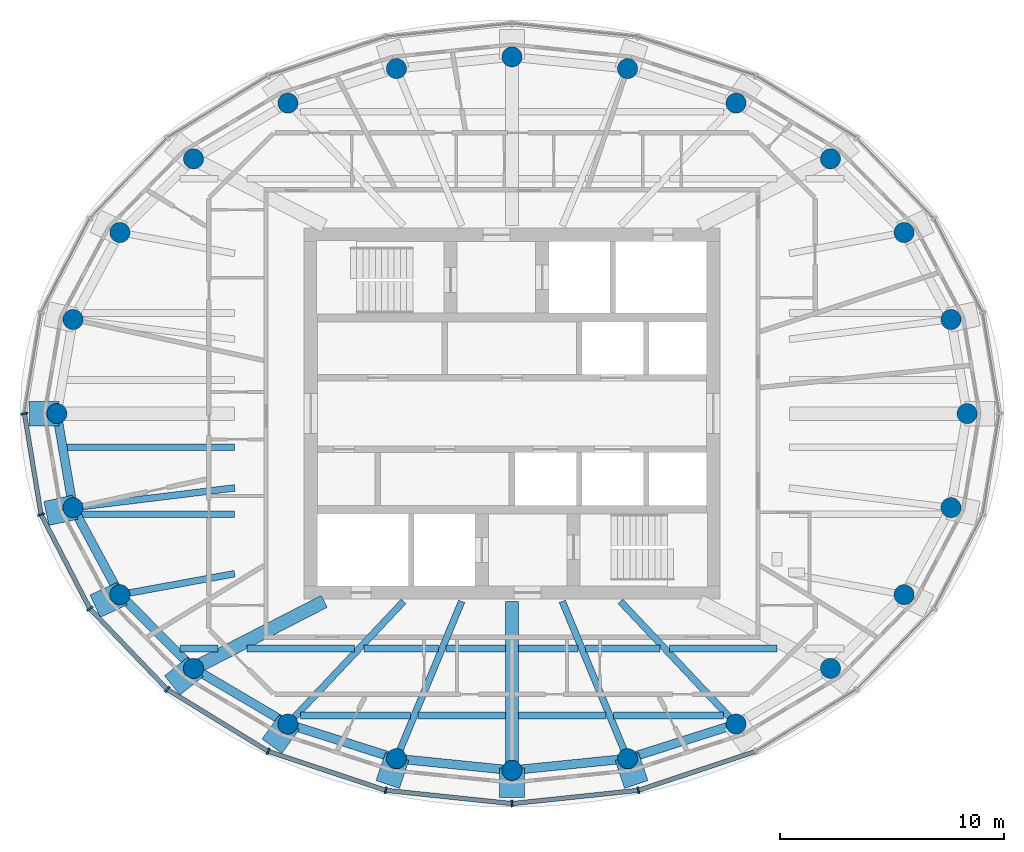
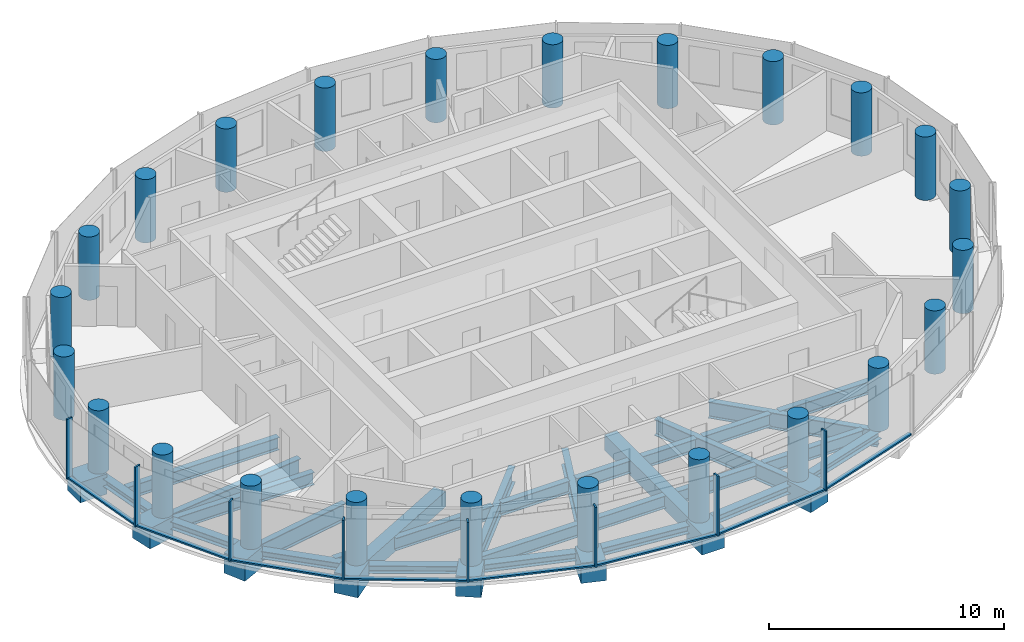
# One storey, part 1 of 11: 37 beams, 24 columns, 16 members, 2 elements without a shape of their own.
"""IFC4 building model written with IfcOpenShell, lengths in metres."""

from ifc_helpers import new_model, si_unit, direction, frame, origin, origin_2d, place, context, subcontext, project, spatial, rectangle, hollow_rectangle, circle, i_section, extrude, material, material_profile, profile_set, type_object, element, aggregate, save


model = new_model("IFC4")

# Units and contexts
model_context = context("Model", 3, precision=1e-05, world=origin(), true_north=direction((0.0, 1.0)))
body_context = subcontext(model_context, "Body", "Model", "MODEL_VIEW")
ifc_project = project(units=[si_unit("LENGTHUNIT", "METRE"), si_unit("AREAUNIT", "SQUARE_METRE"), si_unit("VOLUMEUNIT", "CUBIC_METRE"), si_unit("PLANEANGLEUNIT", "RADIAN"), si_unit("MASSUNIT", "GRAM", prefix="KILO")], contexts=[model_context])

# Site, building, storey
site_placement = place(None, origin())
site = spatial("IfcSite", under=ifc_project, at=site_placement, CompositionType="ELEMENT")
building_placement = place(site_placement, origin())
building = spatial("IfcBuilding", under=site, at=building_placement, Name="Hankou Lantern Tower", CompositionType="ELEMENT")
storey_placement = place(building_placement, frame((0.0, 0.0, 192.89990234375)))
storey = spatial("IfcBuildingStorey", under=building, at=storey_placement, Name="L51", CompositionType="ELEMENT", Elevation=192.89990234375)

# Columns
ifc_material_1 = material(Name="Concrete C50", Category="concrete")
ifc_material_profile_1 = material_profile(ifc_material_1, circle(Radius=0.449951171875, at=origin_2d()), Name="RC D900")
ifc_profile_set_1 = profile_set([ifc_material_profile_1], Name="Concrete C50")
column_type = type_object("IfcColumnType", Name="TC5 PERIMETER COLUMN RC D900", PredefinedType="COLUMN", material=ifc_profile_set_1)
for number, where, z_axis, x_axis, name in (
    (1, (20.35009765625, 0.0, 0.0), (0.0, 0.0, 1.0), (1.0, 0.0, 0.0), "Column R01 L51"),
    (2, (19.629150390625, 4.207763671875, 0.0), (0.0, 0.0, 1.0), (1.0, 0.0, 0.0), "Column R02 L51"),
    (3, (17.5322265625, 8.097900390625, 0.0), (0.0, 0.0, 1.0), (1.0, 0.0, 0.0), "Column R03 L51"),
    (4, (14.241455078125, 11.393310546875, 0.0), (0.0, 0.0, 1.0), (1.0, 0.0, 0.0), "Column R04 L51"),
    (5, (10.01904296875, 13.8828125, 0.0), (0.0, 0.0, 1.0), (1.0, 0.0, 0.0), "Column R05 L51"),
    (6, (5.167236328125, 15.42724609375, 0.0), (0.0, 0.0, 1.0), (1.0, 0.0, 0.0), "Column R06 L51"),
    (7, (0.0, 15.949951171875, 0.0), (0.0, 0.0, 1.0), (1.0, 0.0, 0.0), "Column R07 L51"),
    (8, (-5.167236328125, 15.42724609375, 0.0), (0.0, 0.0, 1.0), (1.0, 0.0, 0.0), "Column R08 L51"),
    (9, (-10.01904296875, 13.8828125, 0.0), (0.0, 0.0, 1.0), (1.0, 0.0, 0.0), "Column R09 L51"),
    (10, (-14.241455078125, 11.393310546875, 0.0), (0.0, 0.0, 1.0), (1.0, 0.0, 0.0), "Column R10 L51"),
    (11, (-17.5322265625, 8.097900390625, 0.0), (0.0, 0.0, 1.0), (1.0, 0.0, 0.0), "Column R11 L51"),
    (12, (-19.629150390625, 4.207763671875, 0.0), (0.0, 0.0, 1.0), (1.0, 0.0, 0.0), "Column R12 L51"),
    (13, (-20.35009765625, 0.0, 0.0), (0.0, 0.0, 1.0), (1.0, 0.0, 0.0), "Column R13 L51"),
    (14, (-19.629150390625, -4.207763671875, 0.0), (0.0, 0.0, 1.0), (1.0, 0.0, 0.0), "Column R14 L51"),
    (15, (-17.5322265625, -8.097900390625, 0.0), (0.0, 0.0, 1.0), (1.0, 0.0, 0.0), "Column R15 L51"),
    (16, (-14.241455078125, -11.393310546875, 0.0), (0.0, 0.0, 1.0), (1.0, 0.0, 0.0), "Column R16 L51"),
    (17, (-10.01904296875, -13.8828125, 0.0), (0.0, 0.0, 1.0), (1.0, 0.0, 0.0), "Column R17 L51"),
    (18, (-5.167236328125, -15.42724609375, 0.0), (0.0, 0.0, 1.0), (1.0, 0.0, 0.0), "Column R18 L51"),
    (19, (0.0, -15.949951171875, 0.0), (0.0, 0.0, 1.0), (1.0, 0.0, 0.0), "Column R19 L51"),
    (20, (5.167236328125, -15.42724609375, 0.0), (0.0, 0.0, 1.0), (1.0, 0.0, 0.0), "Column R20 L51"),
    (21, (10.01904296875, -13.8828125, 0.0), (0.0, 0.0, 1.0), (1.0, 0.0, 0.0), "Column R21 L51"),
    (22, (14.241455078125, -11.393310546875, 0.0), (0.0, 0.0, 1.0), (1.0, 0.0, 0.0), "Column R22 L51"),
    (23, (17.5322265625, -8.097900390625, 0.0), (0.0, 0.0, 1.0), (1.0, 0.0, 0.0), "Column R23 L51"),
    (24, (19.629150390625, -4.207763671875, 0.0), (0.0, 0.0, 1.0), (1.0, 0.0, 0.0), "Column R24 L51"),
):
    element("IfcColumn", number, at=place(storey_placement, frame(where, z_axis=z_axis, x_axis=x_axis)), inside=storey, type_object=column_type, Name=name, PredefinedType="COLUMN", context=body_context, shape_type="SweptSolid", body=[
        extrude(circle(Radius=0.449951171875, at=origin_2d()), origin(), (0.0, 0.0, 1.0), 3.300048828125),
    ])

# Beams
ifc_material_2 = material(Name="Steel Q355B", Category="steel")
ifc_material_profile_2 = material_profile(ifc_material_2, i_section(OverallWidth=0.39990234375, OverallDepth=0.39990234375, WebThickness=0.012939453125, FlangeThickness=0.02099609375, FilletRadius=0.02197265625, at=origin_2d()), Name="HW400x400x13x21")
ifc_profile_set_2 = profile_set([ifc_material_profile_2], Name="Steel Q355B")
beam_type_1 = type_object("IfcBeamType", Name="EB19 RING BEAM HW400x400x13x21", PredefinedType="SPANDREL", material=ifc_profile_set_2)
beam_1_placement = place(storey_placement, frame((-20.35009765625, 0.0, -0.3798828125), z_axis=(0.168876512999, -0.98563721691, 0.0), x_axis=(0.98563721691, 0.168876512999, 0.0)))
element("IfcBeam", 25, at=beam_1_placement, inside=storey, type_object=beam_type_1, Name="Ring beam R13-R14 L51", PredefinedType="SPANDREL", context=body_context, shape_type="SweptSolid", body=[
    extrude(i_section(OverallWidth=0.39990234375, OverallDepth=0.39990234375, WebThickness=0.012939453125, FlangeThickness=0.02099609375, FilletRadius=0.02197265625, at=origin_2d()), origin(), (0.0, 0.0, 1.0), 4.26904296875),
])
beam_2_placement = place(storey_placement, frame((-19.629150390625, -4.207763671875, -0.3798828125), z_axis=(0.474491806611, -0.880259919262, 0.0), x_axis=(0.880259919262, 0.474491806611, 0.0)))
element("IfcBeam", 26, at=beam_2_placement, inside=storey, type_object=beam_type_1, Name="Ring beam R14-R15 L51", PredefinedType="SPANDREL", context=body_context, shape_type="SweptSolid", body=[
    extrude(i_section(OverallWidth=0.39990234375, OverallDepth=0.39990234375, WebThickness=0.012939453125, FlangeThickness=0.02099609375, FilletRadius=0.02197265625, at=origin_2d()), origin(), (0.0, 0.0, 1.0), 4.419189453125),
])
beam_3_placement = place(storey_placement, frame((-17.5322265625, -8.097900390625, -0.3798828125), z_axis=(0.706608588034, -0.707604623583, 0.0), x_axis=(0.707604623583, 0.706608588034, 0.0)))
element("IfcBeam", 27, at=beam_3_placement, inside=storey, type_object=beam_type_1, Name="Ring beam R15-R16 L51", PredefinedType="SPANDREL", context=body_context, shape_type="SweptSolid", body=[
    extrude(i_section(OverallWidth=0.39990234375, OverallDepth=0.39990234375, WebThickness=0.012939453125, FlangeThickness=0.02099609375, FilletRadius=0.02197265625, at=origin_2d()), origin(), (0.0, 0.0, 1.0), 4.6572265625),
])
beam_4_placement = place(storey_placement, frame((-14.241455078125, -11.393310546875, -0.3798828125), z_axis=(0.861422897323, -0.507888365655, 0.0), x_axis=(0.507888365655, 0.861422897323, 0.0)))
element("IfcBeam", 28, at=beam_4_placement, inside=storey, type_object=beam_type_1, Name="Ring beam R16-R17 L51", PredefinedType="SPANDREL", context=body_context, shape_type="SweptSolid", body=[
    extrude(i_section(OverallWidth=0.39990234375, OverallDepth=0.39990234375, WebThickness=0.012939453125, FlangeThickness=0.02099609375, FilletRadius=0.02197265625, at=origin_2d()), origin(), (0.0, 0.0, 1.0), 4.901611328125),
])
beam_5_placement = place(storey_placement, frame((-10.01904296875, -13.8828125, -0.3798828125), z_axis=(0.952887359315, -0.303324381574, 0.0), x_axis=(0.303324381574, 0.952887359315, 0.0)))
element("IfcBeam", 29, at=beam_5_placement, inside=storey, type_object=beam_type_1, Name="Ring beam R17-R18 L51", PredefinedType="SPANDREL", context=body_context, shape_type="SweptSolid", body=[
    extrude(i_section(OverallWidth=0.39990234375, OverallDepth=0.39990234375, WebThickness=0.012939453125, FlangeThickness=0.02099609375, FilletRadius=0.02197265625, at=origin_2d()), origin(), (0.0, 0.0, 1.0), 5.091796875),
])
for number, where, z_axis, x_axis, name in (
    (30, (-5.167236328125, -15.42724609375, -0.3798828125), (0.994922507736, -0.100643944676, 0.0), (0.100643944676, 0.994922507736, 0.0), "Ring beam R18-R19 L51"),
    (31, (0.0, -15.949951171875, -0.3798828125), (0.994922507736, 0.100643944676, 0.0), (-0.100643944676, 0.994922507736, 0.0), "Ring beam R19-R20 L51"),
):
    element("IfcBeam", number, at=place(storey_placement, frame(where, z_axis=z_axis, x_axis=x_axis)), inside=storey, type_object=beam_type_1, Name=name, PredefinedType="SPANDREL", context=body_context, shape_type="SweptSolid", body=[
        extrude(i_section(OverallWidth=0.39990234375, OverallDepth=0.39990234375, WebThickness=0.012939453125, FlangeThickness=0.02099609375, FilletRadius=0.02197265625, at=origin_2d()), origin(), (0.0, 0.0, 1.0), 5.193603515625),
    ])
beam_6_placement = place(storey_placement, frame((5.167236328125, -15.42724609375, -0.3798828125), z_axis=(0.952887359315, 0.303324381574, 0.0), x_axis=(-0.303324381574, 0.952887359315, 0.0)))
element("IfcBeam", 32, at=beam_6_placement, inside=storey, type_object=beam_type_1, Name="Ring beam R20-R21 L51", PredefinedType="SPANDREL", context=body_context, shape_type="SweptSolid", body=[
    extrude(i_section(OverallWidth=0.39990234375, OverallDepth=0.39990234375, WebThickness=0.012939453125, FlangeThickness=0.02099609375, FilletRadius=0.02197265625, at=origin_2d()), origin(), (0.0, 0.0, 1.0), 5.091796875),
])

# Curtain wall, members
ifc_material_3 = material(Name="Glass, dark grey tinted laminated", Category="glass")
curtain_wall_type = type_object("IfcCurtainWallType", Name="CWD OUTER SKIN SUITE", PredefinedType="USERDEFINED", material=ifc_material_3)
curtain_wall_1_placement = place(storey_placement, origin())
curtain_wall_1 = element("IfcCurtainWall", 33, at=curtain_wall_1_placement, inside=storey, type_object=curtain_wall_type, Name="CWD L51 OS3", ObjectType="OUTER SKIN SUITE", PredefinedType="USERDEFINED")
ifc_material_4 = material(Name="Aluminium, black anodised", Category="aluminium")
ifc_material_profile_3 = material_profile(ifc_material_4, rectangle(XDim=0.080078125, YDim=0.300048828125, at=origin_2d()), Name="MU1 80X300")
ifc_profile_set_3 = profile_set([ifc_material_profile_3], Name="Aluminium, black anodised")
member_type_1 = type_object("IfcMemberType", Name="MU1 OUTER SKIN MULLION 80X300", PredefinedType="MULLION", material=ifc_profile_set_3)
member_1_placement = place(storey_placement, frame((-21.800048828125, 0.0, 0.0), z_axis=(0.0, 0.0, 1.0), x_axis=(0.162381515188, -0.986728049427, 0.0)))
member_1 = element("IfcMember", 34, at=member_1_placement, type_object=member_type_1, Name="CWD mullion 1", PredefinedType="MULLION", context=body_context, shape_type="SweptSolid", body=[
    extrude(rectangle(XDim=0.080078125, YDim=0.300048828125, at=origin_2d()), origin(), (0.0, 0.0, 1.0), 3.1201171875),
])
member_2_placement = place(storey_placement, frame((-21.05712890625, -4.513916015625, 0.0), z_axis=(0.0, 0.0, 1.0), x_axis=(0.317595577365, -0.94822626479, 0.0)))
member_2 = element("IfcMember", 35, at=member_2_placement, type_object=member_type_1, Name="CWD mullion 2", PredefinedType="MULLION", context=body_context, shape_type="SweptSolid", body=[
    extrude(rectangle(XDim=0.080078125, YDim=0.300048828125, at=origin_2d()), origin(), (0.0, 0.0, 1.0), 3.1201171875),
])
member_3_placement = place(storey_placement, frame((-18.87939453125, -8.719970703125, 0.0), z_axis=(0.0, 0.0, 1.0), x_axis=(0.585205735974, -0.810884854084, 0.0)))
member_3 = element("IfcMember", 36, at=member_3_placement, type_object=member_type_1, Name="CWD mullion 3", PredefinedType="MULLION", context=body_context, shape_type="SweptSolid", body=[
    extrude(rectangle(XDim=0.080078125, YDim=0.300048828125, at=origin_2d()), origin(), (0.0, 0.0, 1.0), 3.1201171875),
])
member_4_placement = place(storey_placement, frame((-15.4150390625, -12.33203125, 0.0), z_axis=(0.0, 0.0, 1.0), x_axis=(0.780868809444, -0.624695047553, 0.0)))
member_4 = element("IfcMember", 37, at=member_4_placement, type_object=member_type_1, Name="CWD mullion 4", PredefinedType="MULLION", context=body_context, shape_type="SweptSolid", body=[
    extrude(rectangle(XDim=0.080078125, YDim=0.300048828125, at=origin_2d()), origin(), (0.0, 0.0, 1.0), 3.1201171875),
])
member_5_placement = place(storey_placement, frame((-10.89990234375, -15.103515625, 0.0), z_axis=(0.0, 0.0, 1.0), x_axis=(0.907841299004, -0.419313934686, 0.0)))
member_5 = element("IfcMember", 38, at=member_5_placement, type_object=member_type_1, Name="CWD mullion 5", PredefinedType="MULLION", context=body_context, shape_type="SweptSolid", body=[
    extrude(rectangle(XDim=0.080078125, YDim=0.300048828125, at=origin_2d()), origin(), (0.0, 0.0, 1.0), 3.1201171875),
])
member_6_placement = place(storey_placement, frame((-5.642333984375, -16.845703125, 0.0), z_axis=(0.0, 0.0, 1.0), x_axis=(0.977787659625, -0.209597931016, 0.0)))
member_6 = element("IfcMember", 39, at=member_6_placement, type_object=member_type_1, Name="CWD mullion 6", PredefinedType="MULLION", context=body_context, shape_type="SweptSolid", body=[
    extrude(rectangle(XDim=0.080078125, YDim=0.300048828125, at=origin_2d()), origin(), (0.0, 0.0, 1.0), 3.1201171875),
])

curtain_wall_2_placement = place(storey_placement, origin())
curtain_wall_2 = element("IfcCurtainWall", 40, at=curtain_wall_2_placement, inside=storey, type_object=curtain_wall_type, Name="CWD L51 OS4", ObjectType="OUTER SKIN SUITE", PredefinedType="USERDEFINED")
member_7_placement = place(storey_placement, frame((0.0, -17.43994140625, 0.0), z_axis=(0.0, 0.0, 1.0), x_axis=(0.994499359107, 0.104742659579, 0.0)))
member_7 = element("IfcMember", 41, at=member_7_placement, type_object=member_type_1, Name="CWD mullion 1", PredefinedType="MULLION", context=body_context, shape_type="SweptSolid", body=[
    extrude(rectangle(XDim=0.080078125, YDim=0.300048828125, at=origin_2d()), origin(), (0.0, 0.0, 1.0), 3.1201171875),
])
member_8_placement = place(storey_placement, frame((5.642333984375, -16.845703125, 0.0), z_axis=(0.0, 0.0, 1.0), x_axis=(0.977787659625, 0.209597931016, 0.0)))
member_8 = element("IfcMember", 42, at=member_8_placement, type_object=member_type_1, Name="CWD mullion 2", PredefinedType="MULLION", context=body_context, shape_type="SweptSolid", body=[
    extrude(rectangle(XDim=0.080078125, YDim=0.300048828125, at=origin_2d()), origin(), (0.0, 0.0, 1.0), 3.1201171875),
])

# Beams
ifc_material_5 = material(Name="Steel Q390GJ", Category="steel")
ifc_material_profile_4 = material_profile(ifc_material_5, hollow_rectangle(XDim=0.60009765625, YDim=0.800048828125, WallThickness=0.050048828125, at=origin_2d()), Name="BOX800x600x50")
ifc_profile_set_4 = profile_set([ifc_material_profile_4], Name="Steel Q390GJ")
beam_type_2 = type_object("IfcBeamType", Name="OT2 OUTRIGGER CHORD BOX800x600x50", PredefinedType="BEAM", material=ifc_profile_set_4)
beam_7_placement = place(storey_placement, frame((-8.39990234375, -8.39990234375, -0.579833984375), z_axis=(-0.889957215758, -0.456044026515, 0.0), x_axis=(0.456044026515, -0.889957215758, 0.0)))
element("IfcBeam", 43, at=beam_7_placement, inside=storey, type_object=beam_type_2, Name="Radial beam R16 L51", PredefinedType="BEAM", context=body_context, shape_type="SweptSolid", body=[
    extrude(hollow_rectangle(XDim=0.60009765625, YDim=0.800048828125, WallThickness=0.050048828125, at=origin_2d()), origin(), (0.0, 0.0, 1.0), 6.56396484375),
])
beam_8_placement = place(storey_placement, frame((0.0, -8.39990234375, -0.579833984375), z_axis=(0.0, -1.0, 0.0), x_axis=(1.0, 0.0, 0.0)))
element("IfcBeam", 44, at=beam_8_placement, inside=storey, type_object=beam_type_2, Name="Radial beam R19 L51", PredefinedType="BEAM", context=body_context, shape_type="SweptSolid", body=[
    extrude(hollow_rectangle(XDim=0.60009765625, YDim=0.800048828125, WallThickness=0.050048828125, at=origin_2d()), origin(), (0.0, 0.0, 1.0), 7.550048828125),
])
ifc_material_6 = material(Name="Steel Q355B", Category="steel")
ifc_material_profile_5 = material_profile(ifc_material_6, i_section(OverallWidth=0.300048828125, OverallDepth=0.85009765625, WebThickness=0.01611328125, FlangeThickness=0.027099609375, FilletRadius=0.01806640625, at=origin_2d()), Name="HN850x300x16x27")
ifc_profile_set_5 = profile_set([ifc_material_profile_5], Name="Steel Q355B")
beam_type_3 = type_object("IfcBeamType", Name="RB12 RADIAL BEAM HN850x300x16x27", PredefinedType="BEAM", material=ifc_profile_set_5)
beam_9_placement = place(storey_placement, frame((-12.39990234375, -3.322509765625, -0.60498046875), z_axis=(-0.992585728443, -0.121546582396, 0.0), x_axis=(0.121546582396, -0.992585728443, 0.0)))
element("IfcBeam", 45, at=beam_9_placement, inside=storey, type_object=beam_type_3, Name="Radial beam R14 L51", PredefinedType="BEAM", context=body_context, shape_type="SweptSolid", body=[
    extrude(i_section(OverallWidth=0.300048828125, OverallDepth=0.85009765625, WebThickness=0.01611328125, FlangeThickness=0.027099609375, FilletRadius=0.01806640625, at=origin_2d()), origin(), (0.0, 0.0, 1.0), 7.283203125),
])
beam_10_placement = place(storey_placement, frame((-4.849853515625, -8.39990234375, -0.60498046875), z_axis=(-0.685983955473, -0.727616666132, 0.0), x_axis=(0.727616666132, -0.685983955473, 0.0)))
element("IfcBeam", 46, at=beam_10_placement, inside=storey, type_object=beam_type_3, Name="Radial beam R17 L51", PredefinedType="BEAM", context=body_context, shape_type="SweptSolid", body=[
    extrude(i_section(OverallWidth=0.300048828125, OverallDepth=0.85009765625, WebThickness=0.01611328125, FlangeThickness=0.027099609375, FilletRadius=0.01806640625, at=origin_2d()), origin(), (0.0, 0.0, 1.0), 7.535400390625),
])
for number, where, z_axis, x_axis, name in (
    (47, (-2.250732421875, -8.39990234375, -0.60498046875), (-0.383320861965, -0.923615242827, 0.0), (0.923615242827, -0.383320861965, 0.0), "Radial beam R18 L51"),
    (48, (2.250732421875, -8.39990234375, -0.60498046875), (0.383320861965, -0.923615242827, 0.0), (0.923615242827, 0.383320861965, 0.0), "Radial beam R20 L51"),
):
    element("IfcBeam", number, at=place(storey_placement, frame(where, z_axis=z_axis, x_axis=x_axis)), inside=storey, type_object=beam_type_3, Name=name, PredefinedType="BEAM", context=body_context, shape_type="SweptSolid", body=[
        extrude(i_section(OverallWidth=0.300048828125, OverallDepth=0.85009765625, WebThickness=0.01611328125, FlangeThickness=0.027099609375, FilletRadius=0.01806640625, at=origin_2d()), origin(), (0.0, 0.0, 1.0), 7.6083984375),
    ])
beam_11_placement = place(storey_placement, frame((4.849853515625, -8.39990234375, -0.60498046875), z_axis=(0.685983955473, -0.727616666132, 0.0), x_axis=(0.727616666132, 0.685983955473, 0.0)))
element("IfcBeam", 49, at=beam_11_placement, inside=storey, type_object=beam_type_3, Name="Radial beam R21 L51", PredefinedType="BEAM", context=body_context, shape_type="SweptSolid", body=[
    extrude(i_section(OverallWidth=0.300048828125, OverallDepth=0.85009765625, WebThickness=0.01611328125, FlangeThickness=0.027099609375, FilletRadius=0.01806640625, at=origin_2d()), origin(), (0.0, 0.0, 1.0), 7.535400390625),
])
ifc_material_7 = material(Name="Steel Q355B", Category="steel")
ifc_material_profile_6 = material_profile(ifc_material_7, i_section(OverallWidth=0.300048828125, OverallDepth=0.89990234375, WebThickness=0.01611328125, FlangeThickness=0.028076171875, FilletRadius=0.01806640625, at=origin_2d()), Name="HN900x300x16x28")
ifc_profile_set_6 = profile_set([ifc_material_profile_6], Name="Steel Q355B")
beam_type_4 = type_object("IfcBeamType", Name="RB13 RADIAL BEAM HN900x300x16x28", PredefinedType="BEAM", material=ifc_profile_set_6)
beam_12_placement = place(storey_placement, frame((-12.39990234375, -7.1591796875, -0.6298828125), z_axis=(-0.98368144672, -0.179918902228, 0.0), x_axis=(0.179918902228, -0.98368144672, 0.0)))
element("IfcBeam", 50, at=beam_12_placement, inside=storey, type_object=beam_type_4, Name="Radial beam R15 L51", PredefinedType="BEAM", context=body_context, shape_type="SweptSolid", body=[
    extrude(i_section(OverallWidth=0.300048828125, OverallDepth=0.89990234375, WebThickness=0.01611328125, FlangeThickness=0.028076171875, FilletRadius=0.01806640625, at=origin_2d()), origin(), (0.0, 0.0, 1.0), 5.217529296875),
])
ifc_material_8 = material(Name="Steel Q355B", Category="steel")
ifc_material_profile_7 = material_profile(ifc_material_8, i_section(OverallWidth=0.300048828125, OverallDepth=0.64990234375, WebThickness=0.010986328125, FlangeThickness=0.01708984375, FilletRadius=0.01806640625, at=origin_2d()), Name="HN650x300x11x17")
ifc_profile_set_7 = profile_set([ifc_material_profile_7], Name="Steel Q355B")
beam_type_5 = type_object("IfcBeamType", Name="SB8 SECONDARY BEAM HN650x300x11x17", PredefinedType="JOIST", material=ifc_profile_set_7)
beam_13_placement = place(storey_placement, frame((-9.451904296875, -13.5, -0.5048828125), z_axis=(1.0, 0.0, 0.0), x_axis=(0.0, 1.0, 0.0)))
element("IfcBeam", 51, at=beam_13_placement, inside=storey, type_object=beam_type_5, Name="Floor joist J001 L51", PredefinedType="JOIST", context=body_context, shape_type="SweptSolid", body=[
    extrude(i_section(OverallWidth=0.300048828125, OverallDepth=0.64990234375, WebThickness=0.010986328125, FlangeThickness=0.01708984375, FilletRadius=0.01806640625, at=origin_2d()), origin(), (0.0, 0.0, 1.0), 4.922119140625),
])
for number, where, z_axis, x_axis, name in (
    (52, (-4.204833984375, -13.5, -0.5048828125), (1.0, 0.0, 0.0), (0.0, 1.0, 0.0), "Floor joist J002 L51"),
    (53, (0.300048828125, -13.5, -0.5048828125), (1.0, 0.0, 0.0), (0.0, 1.0, 0.0), "Floor joist J003 L51"),
):
    element("IfcBeam", number, at=place(storey_placement, frame(where, z_axis=z_axis, x_axis=x_axis)), inside=storey, type_object=beam_type_5, Name=name, PredefinedType="JOIST", context=body_context, shape_type="SweptSolid", body=[
        extrude(i_section(OverallWidth=0.300048828125, OverallDepth=0.64990234375, WebThickness=0.010986328125, FlangeThickness=0.01708984375, FilletRadius=0.01806640625, at=origin_2d()), origin(), (0.0, 0.0, 1.0), 3.90478515625),
    ])
beam_14_placement = place(storey_placement, frame((4.52978515625, -13.5, -0.5048828125), z_axis=(1.0, 0.0, 0.0), x_axis=(0.0, 1.0, 0.0)))
element("IfcBeam", 54, at=beam_14_placement, inside=storey, type_object=beam_type_5, Name="Floor joist J004 L51", PredefinedType="JOIST", context=body_context, shape_type="SweptSolid", body=[
    extrude(i_section(OverallWidth=0.300048828125, OverallDepth=0.64990234375, WebThickness=0.010986328125, FlangeThickness=0.01708984375, FilletRadius=0.01806640625, at=origin_2d()), origin(), (0.0, 0.0, 1.0), 4.922119140625),
])
beam_15_placement = place(storey_placement, frame((-14.850830078125, -10.5, -0.5048828125), z_axis=(1.0, 0.0, 0.0), x_axis=(0.0, 1.0, 0.0)))
element("IfcBeam", 55, at=beam_15_placement, inside=storey, type_object=beam_type_5, Name="Floor joist J005 L51", PredefinedType="JOIST", context=body_context, shape_type="SweptSolid", body=[
    extrude(i_section(OverallWidth=0.300048828125, OverallDepth=0.64990234375, WebThickness=0.010986328125, FlangeThickness=0.01708984375, FilletRadius=0.01806640625, at=origin_2d()), origin(), (0.0, 0.0, 1.0), 1.694580078125),
])
beam_16_placement = place(storey_placement, frame((-11.84033203125, -10.5, -0.5048828125), z_axis=(1.0, 0.0, 0.0), x_axis=(0.0, 1.0, 0.0)))
element("IfcBeam", 56, at=beam_16_placement, inside=storey, type_object=beam_type_5, Name="Floor joist J006 L51", PredefinedType="JOIST", context=body_context, shape_type="SweptSolid", body=[
    extrude(i_section(OverallWidth=0.300048828125, OverallDepth=0.64990234375, WebThickness=0.010986328125, FlangeThickness=0.01708984375, FilletRadius=0.01806640625, at=origin_2d()), origin(), (0.0, 0.0, 1.0), 4.804443359375),
])
beam_17_placement = place(storey_placement, frame((-6.62353515625, -10.5, -0.5048828125), z_axis=(1.0, 0.0, 0.0), x_axis=(0.0, 1.0, 0.0)))
element("IfcBeam", 57, at=beam_17_placement, inside=storey, type_object=beam_type_5, Name="Floor joist J007 L51", PredefinedType="JOIST", context=body_context, shape_type="SweptSolid", body=[
    extrude(i_section(OverallWidth=0.300048828125, OverallDepth=0.64990234375, WebThickness=0.010986328125, FlangeThickness=0.01708984375, FilletRadius=0.01806640625, at=origin_2d()), origin(), (0.0, 0.0, 1.0), 3.3388671875),
])
for number, where, z_axis, x_axis, name in (
    (58, (-2.9599609375, -10.5, -0.5048828125), (1.0, 0.0, 0.0), (0.0, 1.0, 0.0), "Floor joist J008 L51"),
    (59, (0.300048828125, -10.5, -0.5048828125), (1.0, 0.0, 0.0), (0.0, 1.0, 0.0), "Floor joist J009 L51"),
):
    element("IfcBeam", number, at=place(storey_placement, frame(where, z_axis=z_axis, x_axis=x_axis)), inside=storey, type_object=beam_type_5, Name=name, PredefinedType="JOIST", context=body_context, shape_type="SweptSolid", body=[
        extrude(i_section(OverallWidth=0.300048828125, OverallDepth=0.64990234375, WebThickness=0.010986328125, FlangeThickness=0.01708984375, FilletRadius=0.01806640625, at=origin_2d()), origin(), (0.0, 0.0, 1.0), 2.659912109375),
    ])
beam_18_placement = place(storey_placement, frame((3.28466796875, -10.5, -0.5048828125), z_axis=(1.0, 0.0, 0.0), x_axis=(0.0, 1.0, 0.0)))
element("IfcBeam", 60, at=beam_18_placement, inside=storey, type_object=beam_type_5, Name="Floor joist J010 L51", PredefinedType="JOIST", context=body_context, shape_type="SweptSolid", body=[
    extrude(i_section(OverallWidth=0.300048828125, OverallDepth=0.64990234375, WebThickness=0.010986328125, FlangeThickness=0.01708984375, FilletRadius=0.01806640625, at=origin_2d()), origin(), (0.0, 0.0, 1.0), 3.3388671875),
])
beam_19_placement = place(storey_placement, frame((7.035888671875, -10.5, -0.5048828125), z_axis=(1.0, 0.0, 0.0), x_axis=(0.0, 1.0, 0.0)))
element("IfcBeam", 61, at=beam_19_placement, inside=storey, type_object=beam_type_5, Name="Floor joist J011 L51", PredefinedType="JOIST", context=body_context, shape_type="SweptSolid", body=[
    extrude(i_section(OverallWidth=0.300048828125, OverallDepth=0.64990234375, WebThickness=0.010986328125, FlangeThickness=0.01708984375, FilletRadius=0.01806640625, at=origin_2d()), origin(), (0.0, 0.0, 1.0), 4.804443359375),
])
beam_20_placement = place(storey_placement, frame((-19.244384765625, -4.5, -0.5048828125), z_axis=(1.0, 0.0, 0.0), x_axis=(0.0, 1.0, 0.0)))
element("IfcBeam", 62, at=beam_20_placement, inside=storey, type_object=beam_type_5, Name="Floor joist J015 L51", PredefinedType="JOIST", context=body_context, shape_type="SweptSolid", body=[
    extrude(i_section(OverallWidth=0.300048828125, OverallDepth=0.64990234375, WebThickness=0.010986328125, FlangeThickness=0.01708984375, FilletRadius=0.01806640625, at=origin_2d()), origin(), (0.0, 0.0, 1.0), 6.844482421875),
])
beam_21_placement = place(storey_placement, frame((-19.89013671875, -1.5, -0.5048828125), z_axis=(1.0, 0.0, 0.0), x_axis=(0.0, 1.0, 0.0)))
element("IfcBeam", 63, at=beam_21_placement, inside=storey, type_object=beam_type_5, Name="Floor joist J017 L51", PredefinedType="JOIST", context=body_context, shape_type="SweptSolid", body=[
    extrude(i_section(OverallWidth=0.300048828125, OverallDepth=0.64990234375, WebThickness=0.010986328125, FlangeThickness=0.01708984375, FilletRadius=0.01806640625, at=origin_2d()), origin(), (0.0, 0.0, 1.0), 7.490234375),
])
ifc_material_9 = material(Name="Concrete C50", Category="concrete")
ifc_material_profile_8 = material_profile(ifc_material_9, rectangle(XDim=1.10009765625, YDim=1.050048828125, at=origin_2d()), Name="RC 1100x1050")
ifc_profile_set_8 = profile_set([ifc_material_profile_8], Name="Concrete C50")
beam_type_6 = type_object("IfcBeamType", Name="TN3 TRANSFER NODE RC 1100x1050", PredefinedType="BEAM", material=ifc_profile_set_8)
for number, where, z_axis, x_axis, name in (
    (64, (-21.570068359375, 0.0, -0.52490234375), (1.0, 0.0, 0.0), (0.0, 1.0, 0.0), "Transfer node R13 L51"),
    (65, (-20.822021484375, -4.46337890625, -0.52490234375), (0.977799707496, 0.209541719045, 0.0), (-0.209541719045, 0.977799707496, 0.0), "Transfer node R14 L51"),
    (66, (-18.639892578125, -8.609375, -0.52490234375), (0.907867344, 0.419257541016, 0.0), (-0.419257541016, 0.907867344, 0.0), "Transfer node R15 L51"),
):
    element("IfcBeam", number, at=place(storey_placement, frame(where, z_axis=z_axis, x_axis=x_axis)), inside=storey, type_object=beam_type_6, Name=name, PredefinedType="BEAM", context=body_context, shape_type="SweptSolid", body=[
        extrude(rectangle(XDim=1.10009765625, YDim=1.050048828125, at=origin_2d()), origin(), (0.0, 0.0, 1.0), 1.320068359375),
    ])
beam_22_placement = place(storey_placement, frame((-15.194091796875, -12.1552734375, -0.52490234375), z_axis=(0.780850761128, 0.62471760728, 0.0), x_axis=(-0.62471760728, 0.780850761128, 0.0)))
element("IfcBeam", 67, at=beam_22_placement, inside=storey, type_object=beam_type_6, Name="Transfer node R16 L51", PredefinedType="BEAM", context=body_context, shape_type="SweptSolid", body=[
    extrude(rectangle(XDim=1.10009765625, YDim=1.050048828125, at=origin_2d()), origin(), (0.0, 0.0, 1.0), 1.31982421875),
])
beam_23_placement = place(storey_placement, frame((-10.733154296875, -14.872314453125, -0.52490234375), z_axis=(0.585132631737, 0.810937607512, 0.0), x_axis=(-0.810937607512, 0.585132631737, 0.0)))
element("IfcBeam", 68, at=beam_23_placement, inside=storey, type_object=beam_type_6, Name="Transfer node R17 L51", PredefinedType="BEAM", context=body_context, shape_type="SweptSolid", body=[
    extrude(rectangle(XDim=1.10009765625, YDim=1.050048828125, at=origin_2d()), origin(), (0.0, 0.0, 1.0), 1.320068359375),
])
for number, where, z_axis, x_axis, name in (
    (69, (-5.5546875, -16.583984375, -0.52490234375), (0.317614795932, 0.948219827574, 0.0), (-0.948219827574, 0.317614795932, 0.0), "Transfer node R18 L51"),
    (70, (0.0, -17.169921875, -0.52490234375), (0.0, 1.0, 0.0), (-1.0, 0.0, 0.0), "Transfer node R19 L51"),
    (71, (5.5546875, -16.583984375, -0.52490234375), (-0.317614795932, 0.948219827574, 0.0), (-0.948219827574, -0.317614795932, 0.0), "Transfer node R20 L51"),
):
    element("IfcBeam", number, at=place(storey_placement, frame(where, z_axis=z_axis, x_axis=x_axis)), inside=storey, type_object=beam_type_6, Name=name, PredefinedType="BEAM", context=body_context, shape_type="SweptSolid", body=[
        extrude(rectangle(XDim=1.10009765625, YDim=1.050048828125, at=origin_2d()), origin(), (0.0, 0.0, 1.0), 1.31982421875),
    ])

# Member
ifc_material_10 = material(Name="Aluminium, black anodised", Category="aluminium")
ifc_material_profile_9 = material_profile(ifc_material_10, rectangle(XDim=0.199951171875, YDim=0.080078125, at=origin_2d()), Name="TR1 200X80")
ifc_profile_set_9 = profile_set([ifc_material_profile_9], Name="Aluminium, black anodised")
member_type_2 = type_object("IfcMemberType", Name="TR1 OUTER SKIN TRANSOM 200X80", PredefinedType="USERDEFINED", material=ifc_profile_set_9)
member_9_placement = place(storey_placement, frame((-21.79345703125, -0.03955078125, 0.0400390625), z_axis=(0.162363822839, -0.986730960816, 0.0), x_axis=(0.986730960816, 0.162363822839, 0.0)))
member_9 = element("IfcMember", 72, at=member_9_placement, type_object=member_type_2, Name="CWD transom 1", ObjectType="TRANSOM", PredefinedType="USERDEFINED", context=body_context, shape_type="SweptSolid", body=[
    extrude(rectangle(XDim=0.199951171875, YDim=0.080078125, at=origin_2d()), origin(), (0.0, 0.0, 1.0), 4.494384765625),
])

member_10_placement = place(storey_placement, frame((-21.038818359375, -4.54931640625, 0.0400390625), z_axis=(0.45979371115, -0.888025755925, 0.0), x_axis=(0.888025755925, 0.45979371115, 0.0)))
member_10 = element("IfcMember", 73, at=member_10_placement, type_object=member_type_2, Name="CWD transom 2", ObjectType="TRANSOM", PredefinedType="USERDEFINED", context=body_context, shape_type="SweptSolid", body=[
    extrude(rectangle(XDim=0.199951171875, YDim=0.080078125, at=origin_2d()), origin(), (0.0, 0.0, 1.0), 4.65673828125),
])

member_11_placement = place(storey_placement, frame((-18.8515625, -8.748779296875, 0.0400390625), z_axis=(0.692204633274, -0.721701285626, 0.0), x_axis=(0.721701285626, 0.692204633274, 0.0)))
member_11 = element("IfcMember", 74, at=member_11_placement, type_object=member_type_2, Name="CWD transom 3", ObjectType="TRANSOM", PredefinedType="USERDEFINED", context=body_context, shape_type="SweptSolid", body=[
    extrude(rectangle(XDim=0.199951171875, YDim=0.080078125, at=origin_2d()), origin(), (0.0, 0.0, 1.0), 4.9248046875),
])

member_12_placement = place(storey_placement, frame((-15.380859375, -12.352783203125, 0.0400390625), z_axis=(0.852234544008, -0.523159900986, 0.0), x_axis=(0.523159900986, 0.852234544008, 0.0)))
member_12 = element("IfcMember", 75, at=member_12_placement, type_object=member_type_2, Name="CWD transom 4", ObjectType="TRANSOM", PredefinedType="USERDEFINED", context=body_context, shape_type="SweptSolid", body=[
    extrude(rectangle(XDim=0.199951171875, YDim=0.080078125, at=origin_2d()), origin(), (0.0, 0.0, 1.0), 5.2177734375),
])

member_13_placement = place(storey_placement, frame((-10.862060546875, -15.115966796875, 0.0400390625), z_axis=(0.949231947668, -0.314577032739, 0.0), x_axis=(0.314577032739, 0.949231947668, 0.0)))
member_13 = element("IfcMember", 76, at=member_13_placement, type_object=member_type_2, Name="CWD transom 5", ObjectType="TRANSOM", PredefinedType="USERDEFINED", context=body_context, shape_type="SweptSolid", body=[
    extrude(rectangle(XDim=0.199951171875, YDim=0.080078125, at=origin_2d()), origin(), (0.0, 0.0, 1.0), 5.458984375),
])

member_14_placement = place(storey_placement, frame((-5.6025390625, -16.849853515625, 0.0400390625), z_axis=(0.994498275726, -0.104752945435, 0.0), x_axis=(0.104752945435, 0.994498275726, 0.0)))
member_14 = element("IfcMember", 77, at=member_14_placement, type_object=member_type_2, Name="CWD transom 6", ObjectType="TRANSOM", PredefinedType="USERDEFINED", context=body_context, shape_type="SweptSolid", body=[
    extrude(rectangle(XDim=0.199951171875, YDim=0.080078125, at=origin_2d()), origin(), (0.0, 0.0, 1.0), 5.593505859375),
])

aggregate(curtain_wall_1, [member_1, member_2, member_3, member_4, member_5, member_6, member_9, member_10, member_11, member_12, member_13, member_14])

member_15_placement = place(storey_placement, frame((0.039794921875, -17.435791015625, 0.0400390625), z_axis=(0.994498275726, 0.104752945435, 0.0), x_axis=(-0.104752945435, 0.994498275726, 0.0)))
member_15 = element("IfcMember", 78, at=member_15_placement, type_object=member_type_2, Name="CWD transom 1", ObjectType="TRANSOM", PredefinedType="USERDEFINED", context=body_context, shape_type="SweptSolid", body=[
    extrude(rectangle(XDim=0.199951171875, YDim=0.080078125, at=origin_2d()), origin(), (0.0, 0.0, 1.0), 5.593505859375),
])

member_16_placement = place(storey_placement, frame((5.68017578125, -16.833251953125, 0.0400390625), z_axis=(0.949231947668, 0.314577032739, 0.0), x_axis=(-0.314577032739, 0.949231947668, 0.0)))
member_16 = element("IfcMember", 79, at=member_16_placement, type_object=member_type_2, Name="CWD transom 2", ObjectType="TRANSOM", PredefinedType="USERDEFINED", context=body_context, shape_type="SweptSolid", body=[
    extrude(rectangle(XDim=0.199951171875, YDim=0.080078125, at=origin_2d()), origin(), (0.0, 0.0, 1.0), 5.458984375),
])

aggregate(curtain_wall_2, [member_7, member_8, member_15, member_16])

save(model, "model.ifc")
